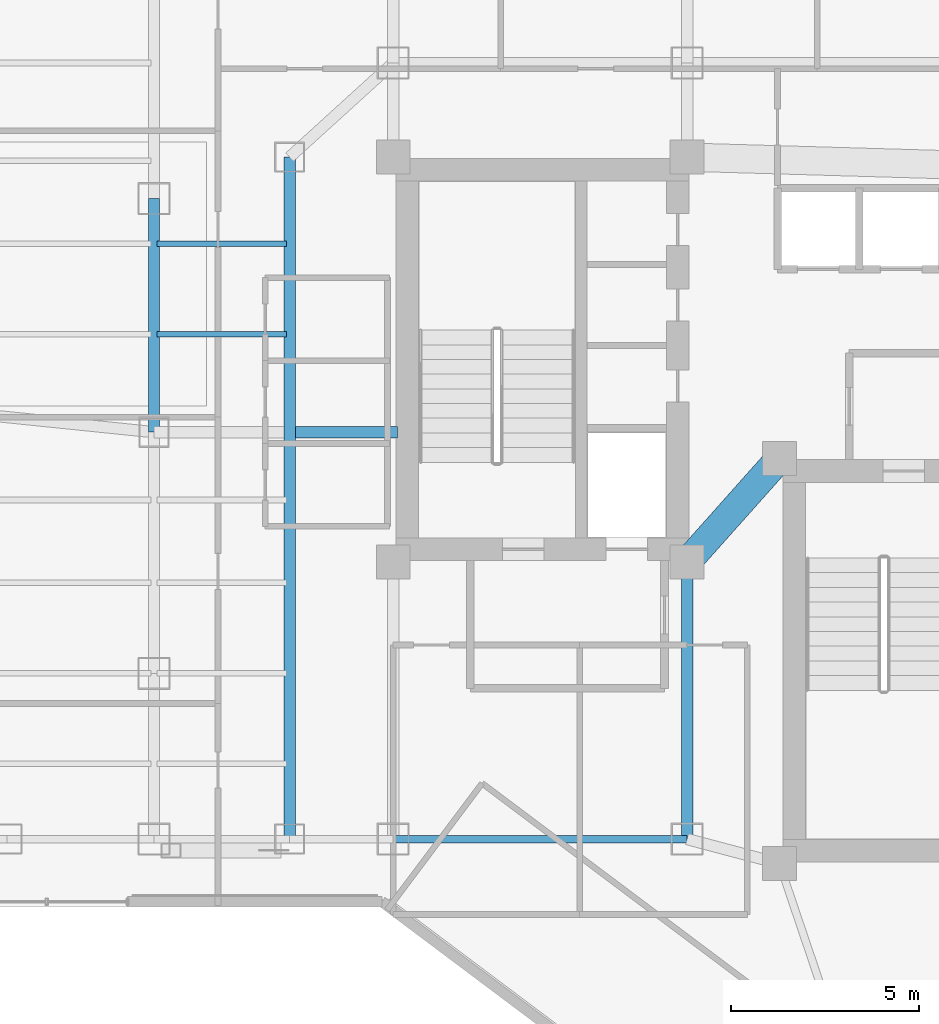
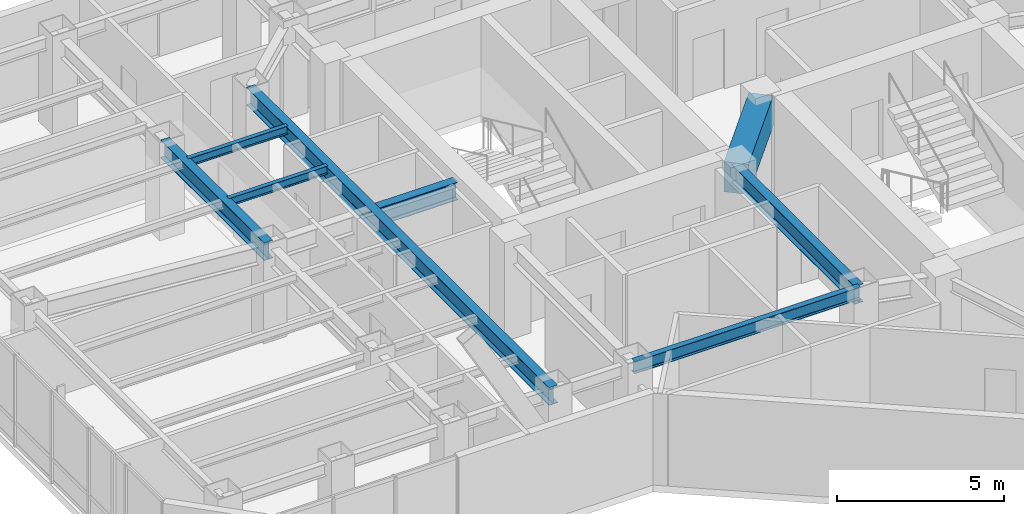
# One storey, part 9 of 28: 8 beams.
"""IFC4 building model written with IfcOpenShell, lengths in metres."""

import ifcopenshell
import ifcopenshell.guid

model = None  # the IFC model being written
_history = None  # IfcOwnerHistory: only IFC2X3 demands one
_inside = {}  # id of a spatial element -> (the spatial element, [elements in it])
_under = {}  # id of a project, library or spatial element -> (it, [spatial elements below it])
_declared = {}  # id of a project -> (the project, [libraries it declares])
_typed = {}  # id of a type object -> (the type object, [elements of that type])
_made_of = {}  # id of a material, layer set ... -> (it, [elements and type objects made of it])


def new_model(schema):
    """Start an empty IFC model of exactly this schema.

    Asked for "IFC4X3", IfcOpenShell would pick the latest addendum, in which some entities
    have other attributes; the version numbers below select the first issue.
    IFC2X3 requires an IfcOwnerHistory on every rooted entity: one is made here for all.
    """
    global model, _history
    if schema == "IFC4X3":
        model = ifcopenshell.file(schema_version=(4, 3, 0, 0))
    else:
        model = ifcopenshell.file(schema=schema)
    _inside.clear()
    _under.clear()
    _declared.clear()
    _typed.clear()
    _made_of.clear()
    _history = None
    if model.schema == "IFC2X3":
        org = make("IfcOrganization", Name="unknown")
        user = make(
            "IfcPersonAndOrganization",
            ThePerson=make("IfcPerson", FamilyName="unknown"),
            TheOrganization=org,
        )
        app = make(
            "IfcApplication",
            ApplicationDeveloper=org,
            Version="unknown",
            ApplicationFullName="unknown",
            ApplicationIdentifier="unknown",
        )
        _history = make(
            "IfcOwnerHistory",
            OwningUser=user,
            OwningApplication=app,
            ChangeAction="ADDED",
            CreationDate=0,
        )
    return model


def make(cls, **values):
    """One entity of the class cls with the attributes given. An attribute that is None is left unset."""
    return model.create_entity(
        cls, **{name: value for name, value in values.items() if value is not None}
    )


def rooted(cls, **values):
    """An entity with a GlobalId (a new one), such as an element, a storey or a relation."""
    return make(cls, GlobalId=ifcopenshell.guid.new(), OwnerHistory=_history, **values)


def si_unit(unit_type, name, prefix=None):
    """IfcSIUnit, for example si_unit("LENGTHUNIT", "METRE", prefix="MILLI")."""
    return make("IfcSIUnit", UnitType=unit_type, Prefix=prefix, Name=name)


def assignment(units):
    """IfcUnitAssignment: the units of a project."""
    return None if units is None else make("IfcUnitAssignment", Units=units)


def point(xyz):
    """IfcCartesianPoint."""
    return None if xyz is None else make("IfcCartesianPoint", Coordinates=xyz)


def direction(xyz):
    """IfcDirection."""
    return None if xyz is None else make("IfcDirection", DirectionRatios=xyz)


def frame(location, z_axis=None, x_axis=None):
    """IfcAxis2Placement3D, a coordinate frame: its origin and axes. An axis left out is left unset."""
    return make(
        "IfcAxis2Placement3D",
        Location=point(location),
        Axis=direction(z_axis),
        RefDirection=direction(x_axis),
    )


def frame_2d(location, x_axis=None):
    """IfcAxis2Placement2D, a coordinate frame in the plane: its origin and x axis."""
    return make(
        "IfcAxis2Placement2D", Location=point(location), RefDirection=direction(x_axis)
    )


def origin():
    """The frame at (0, 0, 0) with its axes left unset."""
    return frame((0.0, 0.0, 0.0))


def origin_2d():
    """The frame at (0, 0) in the plane with its x axis left unset."""
    return frame_2d((0.0, 0.0))


def place(relative_to, where):
    """IfcLocalPlacement: puts the frame where relative to a parent placement (None: the world)."""
    return make(
        "IfcLocalPlacement", PlacementRelTo=relative_to, RelativePlacement=where
    )


def context(
    kind, dimensions, precision=None, world=None, true_north=None, identifier=None
):
    """IfcGeometricRepresentationContext, for example the 3D "Model" context."""
    return make(
        "IfcGeometricRepresentationContext",
        ContextIdentifier=identifier,
        ContextType=kind,
        CoordinateSpaceDimension=dimensions,
        Precision=precision,
        WorldCoordinateSystem=world,
        TrueNorth=true_north,
    )


def subcontext(parent, identifier, kind, view, scale=None):
    """IfcGeometricRepresentationSubContext, for example "Body" below "Model"."""
    return make(
        "IfcGeometricRepresentationSubContext",
        ContextIdentifier=identifier,
        ContextType=kind,
        ParentContext=parent,
        TargetScale=scale,
        TargetView=view,
    )


def project(units=None, contexts=None):
    """IfcProject with its units and contexts."""
    return rooted(
        "IfcProject",
        Name="project",
        RepresentationContexts=contexts,
        UnitsInContext=assignment(units),
    )


def spatial(cls, under=None, at=None, **own):
    """A site, building, storey or space (cls), placed at a placement, below another one or the project."""
    s = rooted(cls, ObjectPlacement=at, **own)
    if under is not None:
        _under.setdefault(under.id(), (under, []))[1].append(s)
    return s


def profile(cls, at=None, kind="AREA", **sizes):
    """A parametric profile (cls). Its sizes go by their IFC names, for example OverallWidth=200.0."""
    return make(cls, ProfileType=kind, Position=at, **sizes)


def rectangle(**sizes):
    """IfcRectangleProfileDef."""
    return profile("IfcRectangleProfileDef", **sizes)


def i_section(**sizes):
    """IfcIShapeProfileDef."""
    return profile("IfcIShapeProfileDef", **sizes)


def extrude(swept, where, along, depth):
    """IfcExtrudedAreaSolid: the profile swept, set in the frame where, extruded along a direction by depth."""
    return make(
        "IfcExtrudedAreaSolid",
        SweptArea=swept,
        Position=where,
        ExtrudedDirection=direction(along),
        Depth=depth,
    )


def shape(context_of_items, identifier, shape_type, items):
    """IfcShapeRepresentation: the items that make up one representation, for example the "Body"."""
    return make(
        "IfcShapeRepresentation",
        ContextOfItems=context_of_items,
        RepresentationIdentifier=identifier,
        RepresentationType=shape_type,
        Items=items,
    )


def material(Name=None, Category=None):
    """IfcMaterial."""
    return make("IfcMaterial", Name=Name, Category=Category)


def material_profile(
    of_material, cross_section, Name=None, Category=None, Priority=None
):
    """IfcMaterialProfile: a cross section and its material."""
    return make(
        "IfcMaterialProfile",
        Name=Name,
        Material=of_material,
        Profile=cross_section,
        Priority=Priority,
        Category=Category,
    )


def profile_set(profiles, Name=None, composite=None):
    """IfcMaterialProfileSet."""
    return make(
        "IfcMaterialProfileSet",
        Name=Name,
        MaterialProfiles=profiles,
        CompositeProfile=composite,
    )


def made_of(thing, what):
    """Note that an element or type object is made of a material, layer set ...; save() writes the relation."""
    if what is not None:
        _made_of.setdefault(what.id(), (what, []))[1].append(thing)
    return thing


def type_object(cls, material=None, **own):
    """A type object (cls), such as IfcWallType, which elements share."""
    return made_of(rooted(cls, **own), material)


def element(
    cls,
    number,
    at=None,
    inside=None,
    cuts=None,
    type_object=None,
    material=None,
    context=None,
    identifier="Body",
    shape_type=None,
    held_by="IfcProductDefinitionShape",
    body=None,
    shapes=None,
    **own,
):
    """One element of the class cls, such as IfcWall. Its Tag is "e" and its number.

    at: its placement. inside: the storey or other place that contains it. cuts: it is an
    opening in that element (IfcRelVoidsElement). A single representation is given by context,
    identifier, shape_type and body (its items); several are given by shapes. held_by: the class
    of the entity that holds the representations. save() writes the other relations.
    """
    e = rooted(cls, Tag="e%d" % number, ObjectPlacement=at, **own)
    if body is not None:
        shapes = [shape(context, identifier, shape_type, body)]
    if shapes is not None:
        e.Representation = make(held_by, Representations=shapes)
    if inside is not None:
        _inside.setdefault(inside.id(), (inside, []))[1].append(e)
    if cuts is not None:
        rooted(
            "IfcRelVoidsElement", RelatingBuildingElement=cuts, RelatedOpeningElement=e
        )
    if type_object is not None:
        _typed.setdefault(type_object.id(), (type_object, []))[1].append(e)
    return made_of(e, material)


def aggregate(whole, parts):
    """IfcRelAggregates: a whole, such as a stair, and the parts it consists of."""
    return rooted("IfcRelAggregates", RelatingObject=whole, RelatedObjects=parts)


def save(model, path):
    """Write the relations noted so far, then the file.

    IfcRelAggregates (storeys below a building ...), IfcRelContainedInSpatialStructure (elements
    in a storey), IfcRelDefinesByType, IfcRelAssociatesMaterial and IfcRelDeclares: one each for
    every whole, place, type object, material and project.
    """
    for whole, parts in _under.values():
        aggregate(whole, parts)
    for where, things in _inside.values():
        rooted(
            "IfcRelContainedInSpatialStructure",
            RelatedElements=things,
            RelatingStructure=where,
        )
    for kind, things in _typed.values():
        rooted("IfcRelDefinesByType", RelatedObjects=things, RelatingType=kind)
    for what, things in _made_of.values():
        rooted("IfcRelAssociatesMaterial", RelatedObjects=things, RelatingMaterial=what)
    for by, libraries in _declared.values():
        rooted("IfcRelDeclares", RelatingContext=by, RelatedDefinitions=libraries)
    model.write(path)


model = new_model("IFC4")

# Units and contexts
model_context = context("Model", 3, precision=1e-05, world=origin(), true_north=direction((0.0, 1.0)))
body_context = subcontext(model_context, "Body", "Model", "MODEL_VIEW")
ifc_project = project(units=[si_unit("LENGTHUNIT", "METRE"), si_unit("AREAUNIT", "SQUARE_METRE"), si_unit("VOLUMEUNIT", "CUBIC_METRE"), si_unit("PLANEANGLEUNIT", "RADIAN"), si_unit("MASSUNIT", "GRAM", prefix="KILO")], contexts=[model_context])

# Site, building, storey
site_placement = place(None, origin())
site = spatial("IfcSite", under=ifc_project, at=site_placement, CompositionType="ELEMENT")
building_placement = place(site_placement, origin())
building = spatial("IfcBuilding", under=site, at=building_placement, Name="Hatsunagi Terrace Concourse", CompositionType="ELEMENT")
storey_placement = place(building_placement, frame((0.0, 0.0, 160.050048828125)))
storey = spatial("IfcBuildingStorey", under=building, at=storey_placement, Name="L42", CompositionType="ELEMENT", Elevation=160.050048828125)

# Beams
ifc_material_1 = material(Name="Concrete Fc48", Category="concrete")
ifc_material_profile_1 = material_profile(ifc_material_1, rectangle(XDim=0.75, YDim=1.10009765625, at=origin_2d()), Name="RC-750x1100")
ifc_profile_set_1 = profile_set([ifc_material_profile_1], Name="Concrete Fc48")
beam_type_1 = type_object("IfcBeamType", Name="CoreCouplingBeam_RC_750x1100", PredefinedType="BEAM", material=ifc_profile_set_1)
beam_1_placement = place(storey_placement, frame((33.35009765625, 32.550048828125, 2.800048828125), z_axis=(0.665198651008, 0.746666427997, 0.0), x_axis=(-0.746666427997, 0.665198651008, 0.0)))
element("IfcBeam", 1, at=beam_1_placement, inside=storey, type_object=beam_type_1, Name="Beam CB-02 CB-L42-1", PredefinedType="BEAM", context=body_context, shape_type="SweptSolid", body=[
    extrude(rectangle(XDim=0.75, YDim=1.10009765625, at=origin_2d()), origin(), (0.0, 0.0, 1.0), 3.68310546875),
])
ifc_material_2 = material(Name="Steel SN490B", Category="steel")
ifc_material_profile_2 = material_profile(ifc_material_2, i_section(OverallWidth=0.14990234375, OverallDepth=0.300048828125, WebThickness=0.006591796875, FlangeThickness=0.009033203125, FilletRadius=0.010986328125, at=origin_2d()), Name="H-300x150x6.5x9")
ifc_profile_set_2 = profile_set([ifc_material_profile_2], Name="Steel SN490B")
beam_type_2 = type_object("IfcBeamType", Name="OfficeJoist_H_300x150", PredefinedType="JOIST", material=ifc_profile_set_2)
for number, where, z_axis, x_axis, name in (
    (2, (19.284912109375, 38.60009765625, 3.199951171875), (1.0, 0.0, 0.0), (0.0, 1.0, 0.0), "Beam J-03 J-L42-W-19-386"),
    (3, (19.284912109375, 41.0, 3.199951171875), (1.0, 0.0, 0.0), (0.0, 1.0, 0.0), "Beam J-03 J-L42-W-19-410"),
):
    element("IfcBeam", number, at=place(storey_placement, frame(where, z_axis=z_axis, x_axis=x_axis)), inside=storey, type_object=beam_type_2, Name=name, PredefinedType="JOIST", context=body_context, shape_type="SweptSolid", body=[
        extrude(i_section(OverallWidth=0.14990234375, OverallDepth=0.300048828125, WebThickness=0.006591796875, FlangeThickness=0.009033203125, FilletRadius=0.010986328125, at=origin_2d()), origin(), (0.0, 0.0, 1.0), 3.43017578125),
    ])
ifc_material_3 = material(Name="Steel SN490B", Category="steel")
ifc_material_profile_3 = material_profile(ifc_material_3, i_section(OverallWidth=0.300048828125, OverallDepth=0.64990234375, WebThickness=0.012939453125, FlangeThickness=0.02197265625, FilletRadius=0.01806640625, at=origin_2d()), Name="H-650x300x13x22")
ifc_profile_set_3 = profile_set([ifc_material_profile_3], Name="Steel SN490B")
beam_type_3 = type_object("IfcBeamType", Name="OfficeLowGirder_H_650x300", PredefinedType="BEAM", material=ifc_profile_set_3)
beam_2_placement = place(storey_placement, frame((33.35009765625, 25.199951171875, 3.02490234375), z_axis=(0.0, 1.0, 0.0), x_axis=(-1.0, 0.0, 0.0)))
element("IfcBeam", 4, at=beam_2_placement, inside=storey, type_object=beam_type_3, Name="Beam G-05 BM-L42-K2CA", PredefinedType="BEAM", context=body_context, shape_type="SweptSolid", body=[
    extrude(i_section(OverallWidth=0.300048828125, OverallDepth=0.64990234375, WebThickness=0.012939453125, FlangeThickness=0.02197265625, FilletRadius=0.01806640625, at=origin_2d()), origin(), (0.0, 0.0, 1.0), 7.35009765625),
])
beam_3_placement = place(storey_placement, frame((22.800048828125, 25.199951171875, 3.02490234375), z_axis=(0.0, 1.0, 0.0), x_axis=(-1.0, 0.0, 0.0)))
element("IfcBeam", 5, at=beam_3_placement, inside=storey, type_object=beam_type_3, Name="Beam G-05 BM-L42-CWNS", PredefinedType="BEAM", context=body_context, shape_type="SweptSolid", body=[
    extrude(i_section(OverallWidth=0.300048828125, OverallDepth=0.64990234375, WebThickness=0.012939453125, FlangeThickness=0.02197265625, FilletRadius=0.01806640625, at=origin_2d()), origin(), (0.0, 0.0, 1.0), 18.10009765625),
])
beam_4_placement = place(storey_placement, frame((19.199951171875, 36.0, 3.02490234375), z_axis=(0.0, 1.0, 0.0), x_axis=(-1.0, 0.0, 0.0)))
element("IfcBeam", 6, at=beam_4_placement, inside=storey, type_object=beam_type_3, Name="Beam G-05 BM-L42-NS-19-36", PredefinedType="BEAM", context=body_context, shape_type="SweptSolid", body=[
    extrude(i_section(OverallWidth=0.300048828125, OverallDepth=0.64990234375, WebThickness=0.012939453125, FlangeThickness=0.02197265625, FilletRadius=0.01806640625, at=origin_2d()), origin(), (0.0, 0.0, 1.0), 6.199951171875),
])
beam_5_placement = place(storey_placement, frame((22.949951171875, 36.0, 3.02490234375), z_axis=(1.0, 0.0, 0.0), x_axis=(0.0, 1.0, 0.0)))
element("IfcBeam", 7, at=beam_5_placement, inside=storey, type_object=beam_type_3, Name="Beam G-05 BM-L42-EW-4", PredefinedType="BEAM", context=body_context, shape_type="SweptSolid", body=[
    extrude(i_section(OverallWidth=0.300048828125, OverallDepth=0.64990234375, WebThickness=0.012939453125, FlangeThickness=0.02197265625, FilletRadius=0.01806640625, at=origin_2d()), origin(), (0.0, 0.0, 1.0), 2.7099609375),
])
ifc_material_4 = material(Name="Steel SN490B", Category="steel")
ifc_material_profile_4 = material_profile(ifc_material_4, i_section(OverallWidth=0.199951171875, OverallDepth=0.449951171875, WebThickness=0.009033203125, FlangeThickness=0.013916015625, FilletRadius=0.01611328125, at=origin_2d()), Name="H-450x200x9x14")
ifc_profile_set_4 = profile_set([ifc_material_profile_4], Name="Steel SN490B")
beam_type_4 = type_object("IfcBeamType", Name="PerimeterSpandrel_H_450x200", PredefinedType="SPANDREL", material=ifc_profile_set_4)
beam_6_placement = place(storey_placement, frame((25.550048828125, 25.199951171875, 3.125), z_axis=(1.0, 0.0, 0.0), x_axis=(0.0, 1.0, 0.0)))
element("IfcBeam", 8, at=beam_6_placement, inside=storey, type_object=beam_type_4, Name="Beam SP-02 BM-L42-WS-25", PredefinedType="SPANDREL", context=body_context, shape_type="SweptSolid", body=[
    extrude(i_section(OverallWidth=0.199951171875, OverallDepth=0.449951171875, WebThickness=0.009033203125, FlangeThickness=0.013916015625, FilletRadius=0.01611328125, at=origin_2d()), origin(), (0.0, 0.0, 1.0), 7.800048828125),
])

save(model, "model.ifc")
